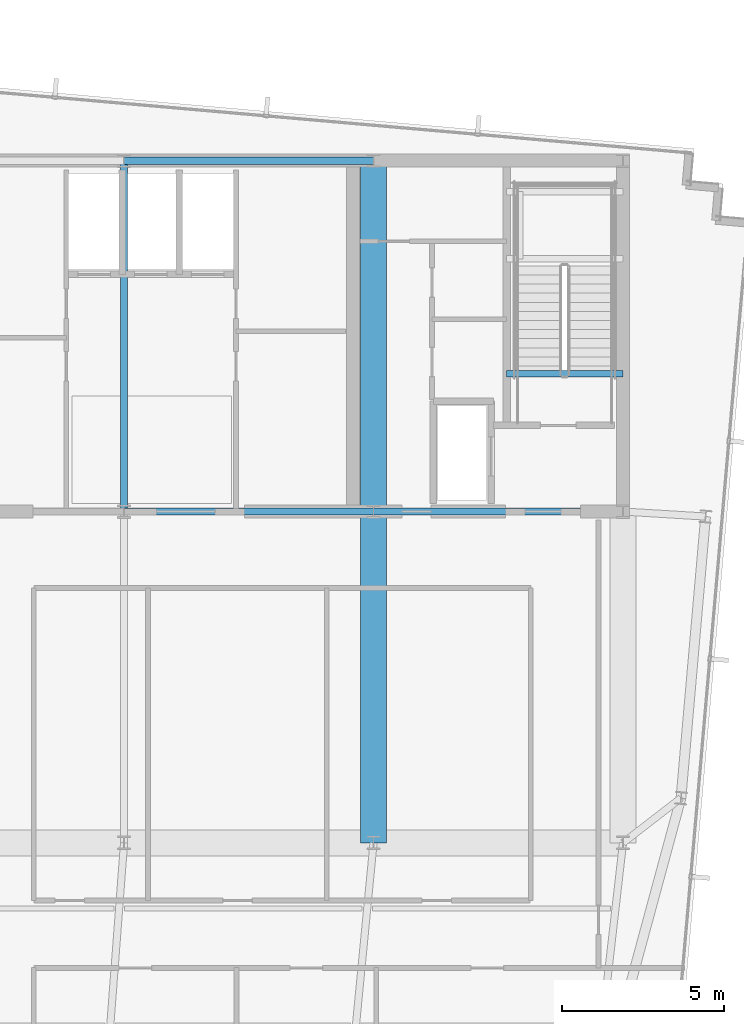
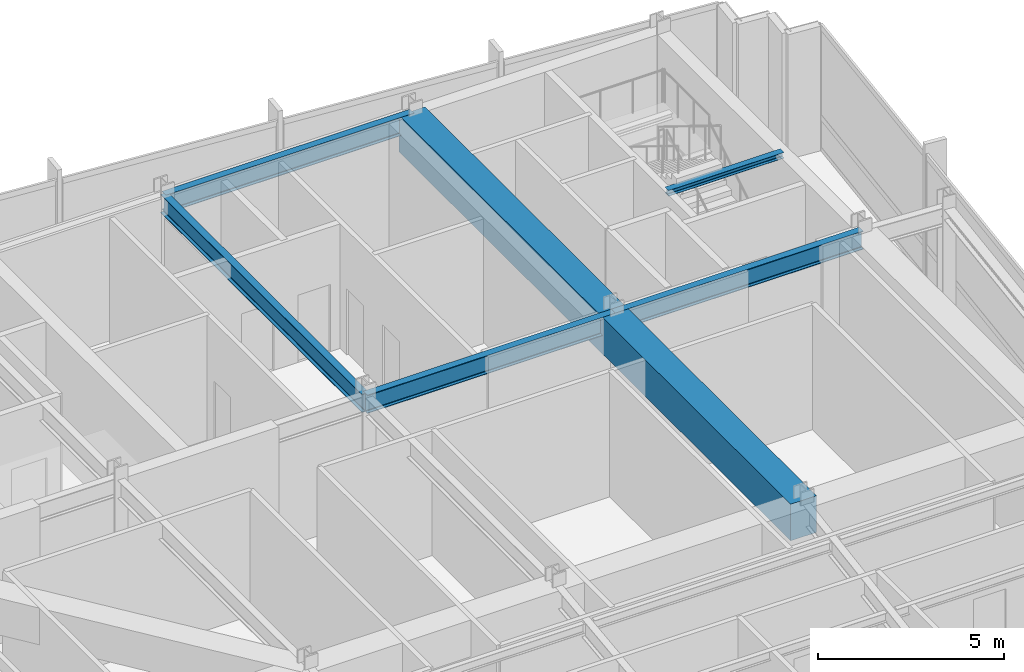
# One storey, part 13 of 25: 6 beams.
"""IFC4 building model written with IfcOpenShell, lengths in metres."""

from ifc_helpers import new_model, si_unit, direction, frame, origin, origin_2d, place, context, subcontext, project, spatial, rectangle, i_section, extrude, material, material_profile, profile_set, type_object, element, save


model = new_model("IFC4")

# Units and contexts
model_context = context("Model", 3, precision=1e-05, world=origin(), true_north=direction((0.0, 1.0)))
body_context = subcontext(model_context, "Body", "Model", "MODEL_VIEW")
ifc_project = project(units=[si_unit("LENGTHUNIT", "METRE"), si_unit("AREAUNIT", "SQUARE_METRE"), si_unit("VOLUMEUNIT", "CUBIC_METRE"), si_unit("PLANEANGLEUNIT", "RADIAN"), si_unit("MASSUNIT", "GRAM", prefix="KILO")], contexts=[model_context])

# Site, building, storey
site_placement = place(None, origin())
site = spatial("IfcSite", under=ifc_project, at=site_placement, CompositionType="ELEMENT")
building_placement = place(site_placement, origin())
building = spatial("IfcBuilding", under=site, at=building_placement, Name="Yelkora Congress Tower", CompositionType="ELEMENT")
storey_placement = place(building_placement, frame((0.0, 0.0, 299.89990234375)))
storey = spatial("IfcBuildingStorey", under=building, at=storey_placement, Name="L84", CompositionType="ELEMENT", Elevation=299.89990234375)

# Beams
ifc_material_1 = material(Name="Steel S355J2", Category="steel")
ifc_material_profile_1 = material_profile(ifc_material_1, i_section(OverallWidth=0.219970703125, OverallDepth=0.60009765625, WebThickness=0.011962890625, FlangeThickness=0.01904296875, FilletRadius=0.02392578125, at=origin_2d()), Name="IPE 600")
ifc_profile_set_1 = profile_set([ifc_material_profile_1], Name="Steel S355J2")
beam_type_1 = type_object("IfcBeamType", Name="BM-GIRD-IPE600", PredefinedType="BEAM", material=ifc_profile_set_1)
for number, where, z_axis, x_axis, name in (
    (1, (38.39990234375, 46.199951171875, 3.780029296875), (1.0, 0.0, 0.0), (0.0, 1.0, 0.0), "L84 Core North Girder 3"),
    (2, (38.39990234375, 35.39990234375, 3.780029296875), (1.0, 0.0, 0.0), (0.0, 1.0, 0.0), "L84 Core South Girder 3"),
):
    element("IfcBeam", number, at=place(storey_placement, frame(where, z_axis=z_axis, x_axis=x_axis)), inside=storey, type_object=beam_type_1, Name=name, PredefinedType="BEAM", context=body_context, shape_type="SweptSolid", body=[
        extrude(i_section(OverallWidth=0.219970703125, OverallDepth=0.60009765625, WebThickness=0.011962890625, FlangeThickness=0.01904296875, FilletRadius=0.02392578125, at=origin_2d()), origin(), (0.0, 0.0, 1.0), 7.68017578125),
    ])
beam_1_placement = place(storey_placement, frame((46.080078125, 35.39990234375, 3.780029296875), z_axis=(1.0, 0.0, 0.0), x_axis=(0.0, 1.0, 0.0)))
element("IfcBeam", 3, at=beam_1_placement, inside=storey, type_object=beam_type_1, Name="L84 Core South Girder 4", PredefinedType="BEAM", context=body_context, shape_type="SweptSolid", body=[
    extrude(i_section(OverallWidth=0.219970703125, OverallDepth=0.60009765625, WebThickness=0.011962890625, FlangeThickness=0.01904296875, FilletRadius=0.02392578125, at=origin_2d()), origin(), (0.0, 0.0, 1.0), 7.679931640625),
])
beam_2_placement = place(storey_placement, frame((38.39990234375, 35.39990234375, 3.780029296875), z_axis=(0.0, 1.0, 0.0), x_axis=(-1.0, 0.0, 0.0)))
element("IfcBeam", 4, at=beam_2_placement, inside=storey, type_object=beam_type_1, Name="L84 Core Tie Girder MC-S3", PredefinedType="BEAM", context=body_context, shape_type="SweptSolid", body=[
    extrude(i_section(OverallWidth=0.219970703125, OverallDepth=0.60009765625, WebThickness=0.011962890625, FlangeThickness=0.01904296875, FilletRadius=0.02392578125, at=origin_2d()), origin(), (0.0, 0.0, 1.0), 10.800048828125),
])
ifc_material_profile_2 = material_profile(ifc_material_1, i_section(OverallWidth=0.199951171875, OverallDepth=0.18994140625, WebThickness=0.006591796875, FlangeThickness=0.010009765625, FilletRadius=0.01806640625, at=origin_2d()), Name="HEA 200")
ifc_profile_set_2 = profile_set([ifc_material_profile_2], Name="Steel S355J2")
beam_type_2 = type_object("IfcBeamType", Name="BM-LAND-HEA200", PredefinedType="BEAM", material=ifc_profile_set_2)
beam_3_placement = place(storey_placement, frame((50.179931640625, 39.639892578125, 3.984619140625), z_axis=(1.0, 0.0, 0.0), x_axis=(0.0, 1.0, 0.0)))
element("IfcBeam", 5, at=beam_3_placement, inside=storey, type_object=beam_type_2, Name="ST-02 L84 Floor Arrival Stringer Header Beam", PredefinedType="BEAM", context=body_context, shape_type="SweptSolid", body=[
    extrude(i_section(OverallWidth=0.199951171875, OverallDepth=0.18994140625, WebThickness=0.006591796875, FlangeThickness=0.010009765625, FilletRadius=0.01806640625, at=origin_2d()), origin(), (0.0, 0.0, 1.0), 3.580078125),
])
ifc_material_2 = material(Name="Concrete C60/75", Category="concrete")
ifc_material_profile_3 = material_profile(ifc_material_2, rectangle(XDim=0.800048828125, YDim=1.199951171875, at=origin_2d()), Name="RC 800x1200")
ifc_profile_set_3 = profile_set([ifc_material_profile_3], Name="Concrete C60/75")
beam_type_3 = type_object("IfcBeamType", Name="BM-XFER-RC1200", PredefinedType="BEAM", material=ifc_profile_set_3)
beam_4_placement = place(storey_placement, frame((46.080078125, 25.199951171875, 3.47998046875), z_axis=(0.0, 1.0, 0.0), x_axis=(-1.0, 0.0, 0.0)))
element("IfcBeam", 6, at=beam_4_placement, inside=storey, type_object=beam_type_3, Name="L84 Transfer Backspan Girder CRN-C04", PredefinedType="BEAM", context=body_context, shape_type="SweptSolid", body=[
    extrude(rectangle(XDim=0.800048828125, YDim=1.199951171875, at=origin_2d()), origin(), (0.0, 0.0, 1.0), 21.0),
])

save(model, "model.ifc")
